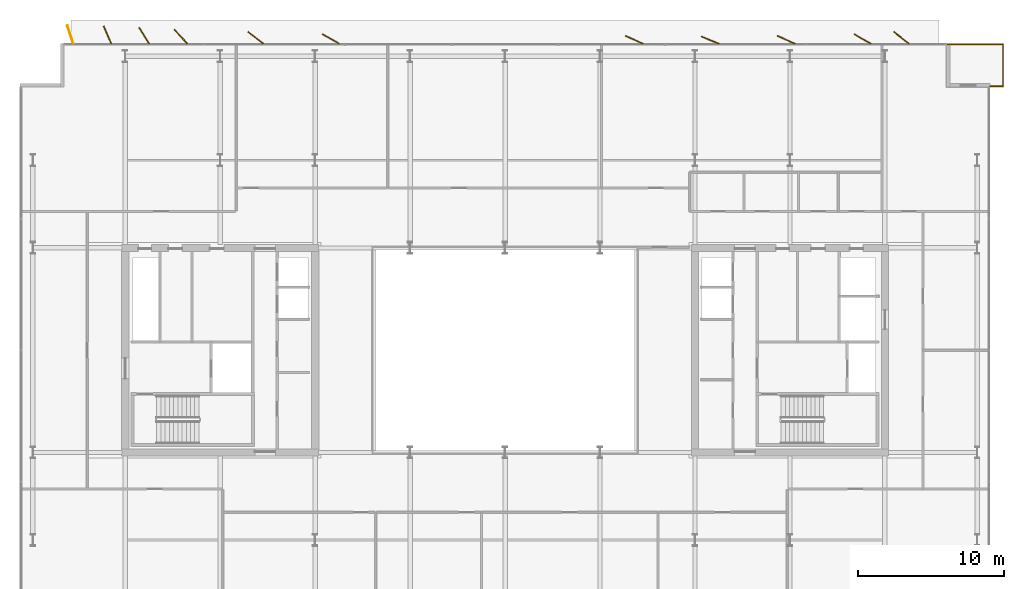
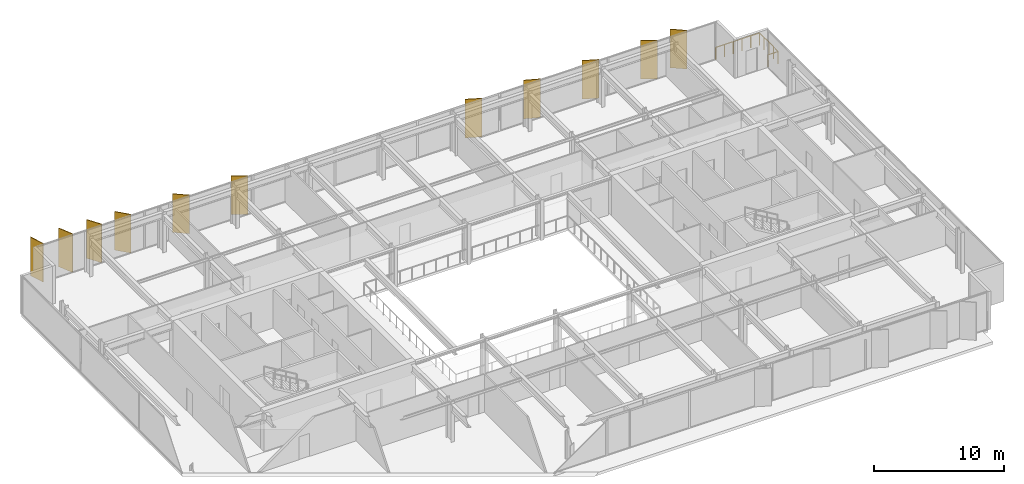
# One storey, part 23 of 23: 11 shading devices, 1 railing.
"""IFC4 building model written with IfcOpenShell, lengths in metres."""

from ifc_helpers import new_model, si_unit, direction, frame, origin, origin_2d, place, context, subcontext, project, spatial, rectangle, circle, extrude, material, layer, layer_set, type_object, element, save


model = new_model("IFC4")

# Units and contexts
model_context = context("Model", 3, precision=1e-05, world=origin(), true_north=direction((0.0, 1.0)))
body_context = subcontext(model_context, "Body", "Model", "MODEL_VIEW")
ifc_project = project(units=[si_unit("LENGTHUNIT", "METRE"), si_unit("AREAUNIT", "SQUARE_METRE"), si_unit("VOLUMEUNIT", "CUBIC_METRE"), si_unit("PLANEANGLEUNIT", "RADIAN"), si_unit("MASSUNIT", "GRAM", prefix="KILO")], contexts=[model_context])

# Site, building, storey
site_placement = place(None, origin())
site = spatial("IfcSite", under=ifc_project, at=site_placement, CompositionType="ELEMENT")
building_placement = place(site_placement, origin())
building = spatial("IfcBuilding", under=site, at=building_placement, Name="Putna Gate Headquarters", CompositionType="ELEMENT")
storey_placement = place(building_placement, frame((0.0, 0.0, 202.39990234375)))
storey = spatial("IfcBuildingStorey", under=building, at=storey_placement, Name="L50", CompositionType="ELEMENT", Elevation=202.39990234375)

# Railing
ifc_material_1 = material(Name="Anodised bronze steel and laminated glass guardrail", Category="steel")
railing_type = type_object("IfcRailingType", Name="RAIL-TERR-GUARD-1150", PredefinedType="GUARDRAIL", material=ifc_material_1)
railing_placement = place(storey_placement, frame((72.199951171875, 44.06005859375, 0.0)))
element("IfcRailing", 1, at=railing_placement, inside=storey, type_object=railing_type, Name="L50 Spiral Sky Terrace Guardrail NE", PredefinedType="GUARDRAIL", context=body_context, shape_type="SweptSolid", body=[
    extrude(circle(Radius=0.02392578125, at=origin_2d()), frame((0.0, 0.0, 1.1259765625), z_axis=(1.0, 0.0, 0.0), x_axis=(0.0, 1.0, 0.0)), (0.0, 0.0, 1.0), 0.89013671875),
    extrude(circle(Radius=0.02392578125, at=origin_2d()), frame((0.89013671875, 0.0, 1.1259765625), z_axis=(0.0, 1.0, 0.0), x_axis=(-1.0, 0.0, 0.0)), (0.0, 0.0, 1.0), 2.8798828125),
    extrude(circle(Radius=0.02392578125, at=origin_2d()), frame((0.89013671875, 2.8798828125, 1.1259765625), z_axis=(-1.0, 0.0, 0.0), x_axis=(0.0, -1.0, 0.0)), (0.0, 0.0, 1.0), 3.89013671875),
    extrude(circle(Radius=0.02099609375, at=origin_2d()), origin(), (0.0, 0.0, 1.0), 1.101806640625),
    extrude(circle(Radius=0.02099609375, at=origin_2d()), frame((0.89013671875, 0.0, 0.0)), (0.0, 0.0, 1.0), 1.101806640625),
    extrude(circle(Radius=0.02099609375, at=origin_2d()), frame((0.89013671875, 0.719970703125, 0.0)), (0.0, 0.0, 1.0), 1.101806640625),
    extrude(circle(Radius=0.02099609375, at=origin_2d()), frame((0.89013671875, 1.43994140625, 0.0)), (0.0, 0.0, 1.0), 1.101806640625),
    extrude(circle(Radius=0.02099609375, at=origin_2d()), frame((0.89013671875, 2.159912109375, 0.0)), (0.0, 0.0, 1.0), 1.101806640625),
    extrude(circle(Radius=0.02099609375, at=origin_2d()), frame((0.89013671875, 2.8798828125, 0.0)), (0.0, 0.0, 1.0), 1.101806640625),
    extrude(circle(Radius=0.02099609375, at=origin_2d()), frame((0.112060546875, 2.8798828125, 0.0)), (0.0, 0.0, 1.0), 1.101806640625),
    extrude(circle(Radius=0.02099609375, at=origin_2d()), frame((-0.666015625, 2.8798828125, 0.0)), (0.0, 0.0, 1.0), 1.101806640625),
    extrude(circle(Radius=0.02099609375, at=origin_2d()), frame((-1.44384765625, 2.8798828125, 0.0)), (0.0, 0.0, 1.0), 1.101806640625),
    extrude(circle(Radius=0.02099609375, at=origin_2d()), frame((-2.221923828125, 2.8798828125, 0.0)), (0.0, 0.0, 1.0), 1.101806640625),
    extrude(circle(Radius=0.02099609375, at=origin_2d()), frame((-3.0, 2.8798828125, 0.0)), (0.0, 0.0, 1.0), 1.101806640625),
])

# Shading devices
ifc_material_2 = material(Name="Anodised architectural bronze aluminium fin", Category="aluminium")
ifc_layer = layer(ifc_material_2, 0.06494140625)
ifc_layer_set = layer_set([ifc_layer], Name="Anodised architectural bronze aluminium fin")
shading_device_type = type_object("IfcShadingDeviceType", Name="SHADE-BRONZE-FIN-1320", PredefinedType="USERDEFINED", material=ifc_layer_set)
for number, where, z_axis, x_axis, name in (
    (2, (9.246337890625, 47.602783203125, -0.02001953125), (0.0, 0.0, 1.0), (-0.308684994204, 0.951164325631, 0.0), "L50 Bronze Vertical Shading Fin N1"),
    (3, (11.78564453125, 47.57958984375, -0.02001953125), (0.0, 0.0, 1.0), (-0.400668879095, 0.916222925562, 0.0), "L50 Bronze Vertical Shading Fin N2"),
    (4, (14.2998046875, 47.534423828125, -0.02001953125), (0.0, 0.0, 1.0), (-0.530659123936, 0.847585331506, 0.0), "L50 Bronze Vertical Shading Fin N3"),
    (5, (16.808349609375, 47.465576171875, -0.02001953125), (0.0, 0.0, 1.0), (-0.669130606359, 0.743144825477, 0.0), "L50 Bronze Vertical Shading Fin N4"),
    (6, (21.930419921875, 47.3818359375, -0.02001953125), (0.0, 0.0, 1.0), (-0.787473187632, 0.616348909921, 0.0), "L50 Bronze Vertical Shading Fin N5"),
    (7, (27.076171875, 47.30126953125, -0.02001953125), (0.0, 0.0, 1.0), (-0.869322458298, 0.494245347472, 0.0), "L50 Bronze Vertical Shading Fin N6"),
    (8, (47.846923828125, 47.2431640625, -0.02001953125), (0.0, 0.0, 1.0), (-0.913687379856, 0.40641773078, 0.0), "L50 Bronze Vertical Shading Fin N7"),
    (9, (53.0380859375, 47.22216796875, -0.02001953125), (0.0, 0.0, 1.0), (-0.927183854567, 0.374606593416, 0.0), "L50 Bronze Vertical Shading Fin N8"),
    (10, (58.2470703125, 47.2431640625, -0.02001953125), (0.0, 0.0, 1.0), (-0.913687379856, 0.40641773078, 0.0), "L50 Bronze Vertical Shading Fin N9"),
    (11, (63.476318359375, 47.30126953125, -0.02001953125), (0.0, 0.0, 1.0), (-0.869322458298, 0.494245347472, 0.0), "L50 Bronze Vertical Shading Fin N10"),
    (12, (66.13037109375, 47.3818359375, -0.02001953125), (0.0, 0.0, 1.0), (-0.787473187632, 0.616348909921, 0.0), "L50 Bronze Vertical Shading Fin N11"),
):
    element("IfcShadingDevice", number, at=place(storey_placement, frame(where, z_axis=z_axis, x_axis=x_axis)), inside=storey, type_object=shading_device_type, Name=name, ObjectType="FIN", PredefinedType="USERDEFINED", context=body_context, shape_type="SweptSolid", body=[
        extrude(rectangle(XDim=1.320068359375, YDim=0.06494140625, at=origin_2d()), origin(), (0.0, 0.0, 1.0), 3.6201171875),
    ])

save(model, "model.ifc")
